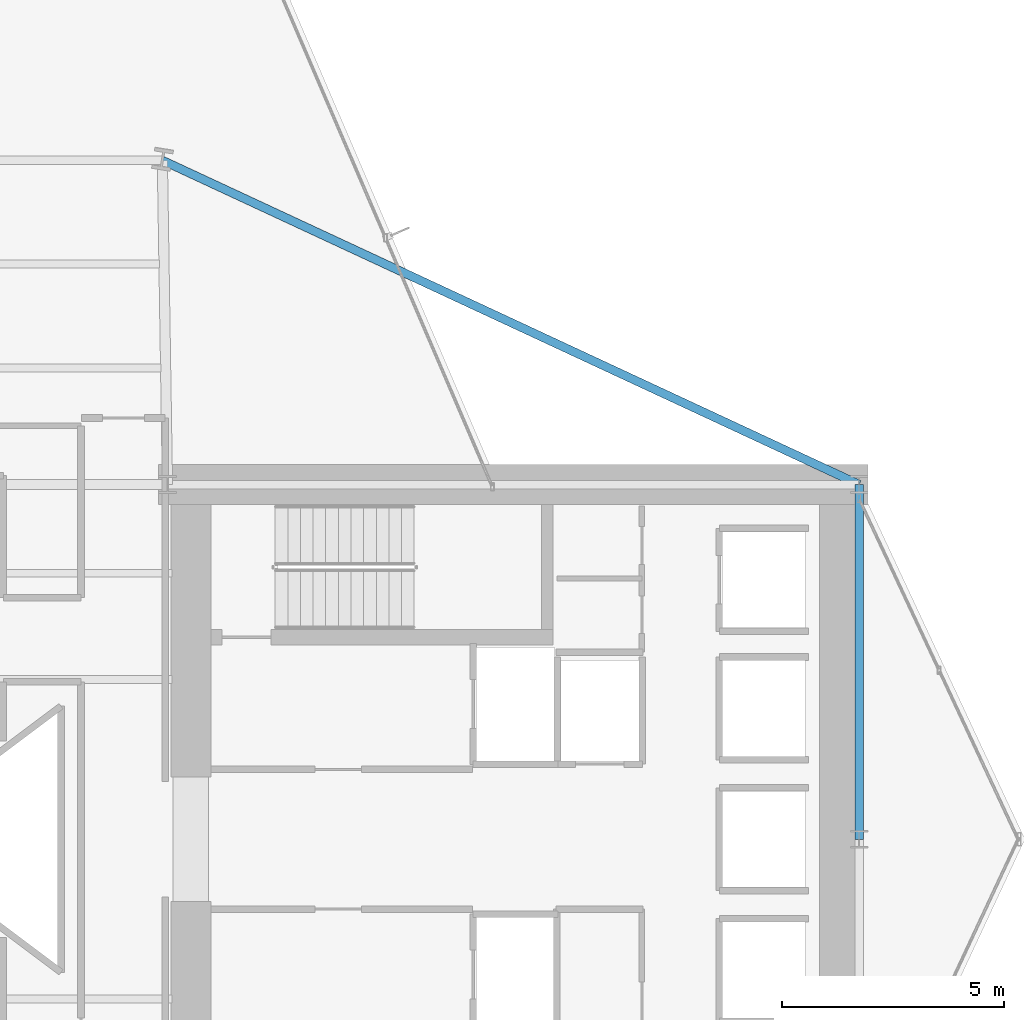
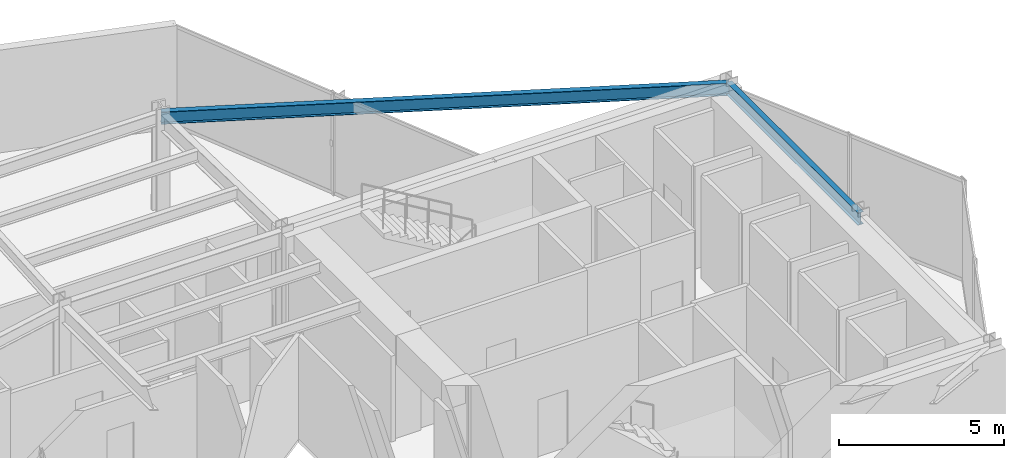
# One storey, part 16 of 27: 2 beams.
"""IFC4 building model written with IfcOpenShell, lengths in metres."""

from ifc_helpers import new_model, si_unit, direction, frame, origin, origin_2d, place, context, subcontext, project, spatial, i_section, extrude, material, material_profile, profile_set, type_object, element, save


model = new_model("IFC4")

# Units and contexts
model_context = context("Model", 3, precision=1e-05, world=origin(), true_north=direction((0.0, 1.0)))
body_context = subcontext(model_context, "Body", "Model", "MODEL_VIEW")
ifc_project = project(units=[si_unit("LENGTHUNIT", "METRE"), si_unit("AREAUNIT", "SQUARE_METRE"), si_unit("VOLUMEUNIT", "CUBIC_METRE"), si_unit("PLANEANGLEUNIT", "RADIAN"), si_unit("MASSUNIT", "GRAM", prefix="KILO")], contexts=[model_context])

# Site, building, storey
site_placement = place(None, origin())
site = spatial("IfcSite", under=ifc_project, at=site_placement, CompositionType="ELEMENT")
building_placement = place(site_placement, origin())
building = spatial("IfcBuilding", under=site, at=building_placement, Name="Veymaron Broadcast Tower", CompositionType="ELEMENT")
storey_placement = place(building_placement, frame((0.0, 0.0, 86.39990234375)))
storey = spatial("IfcBuildingStorey", under=building, at=storey_placement, Name="L19", CompositionType="ELEMENT", Elevation=86.39990234375)

# Beams
ifc_material = material(Name="Structural steel ASTM A992 Gr 50", Category="steel")
ifc_material_profile = material_profile(ifc_material, i_section(OverallWidth=0.19091796875, OverallDepth=0.4599609375, WebThickness=0.010009765625, FlangeThickness=0.01611328125, at=origin_2d()), Name="W460X82")
ifc_profile_set = profile_set([ifc_material_profile], Name="Structural steel ASTM A992 Gr 50")
beam_type = type_object("IfcBeamType", Name="BM-SP1", PredefinedType="SPANDREL", material=ifc_profile_set)
beam_1_placement = place(storey_placement, frame((54.60009765625, 24.0, 3.580078125), z_axis=(0.0, 1.0, 0.0), x_axis=(-1.0, 0.0, 0.0)))
element("IfcBeam", 1, at=beam_1_placement, inside=storey, type_object=beam_type, Name="L19 primary structural floor girder", PredefinedType="SPANDREL", context=body_context, shape_type="SweptSolid", body=[
    extrude(i_section(OverallWidth=0.19091796875, OverallDepth=0.4599609375, WebThickness=0.010009765625, FlangeThickness=0.01611328125, at=origin_2d()), origin(), (0.0, 0.0, 1.0), 8.0),
])
beam_2_placement = place(storey_placement, frame((54.60009765625, 32.0, 3.580078125), z_axis=(-0.906705327856, 0.421764683725, 0.0), x_axis=(-0.421764683725, -0.906705327856, 0.0)))
element("IfcBeam", 2, at=beam_2_placement, inside=storey, type_object=beam_type, Name="L19 primary structural floor girder", PredefinedType="SPANDREL", context=body_context, shape_type="SweptSolid", body=[
    extrude(i_section(OverallWidth=0.19091796875, OverallDepth=0.4599609375, WebThickness=0.010009765625, FlangeThickness=0.01611328125, at=origin_2d()), origin(), (0.0, 0.0, 1.0), 17.33203125),
])

save(model, "model.ifc")
